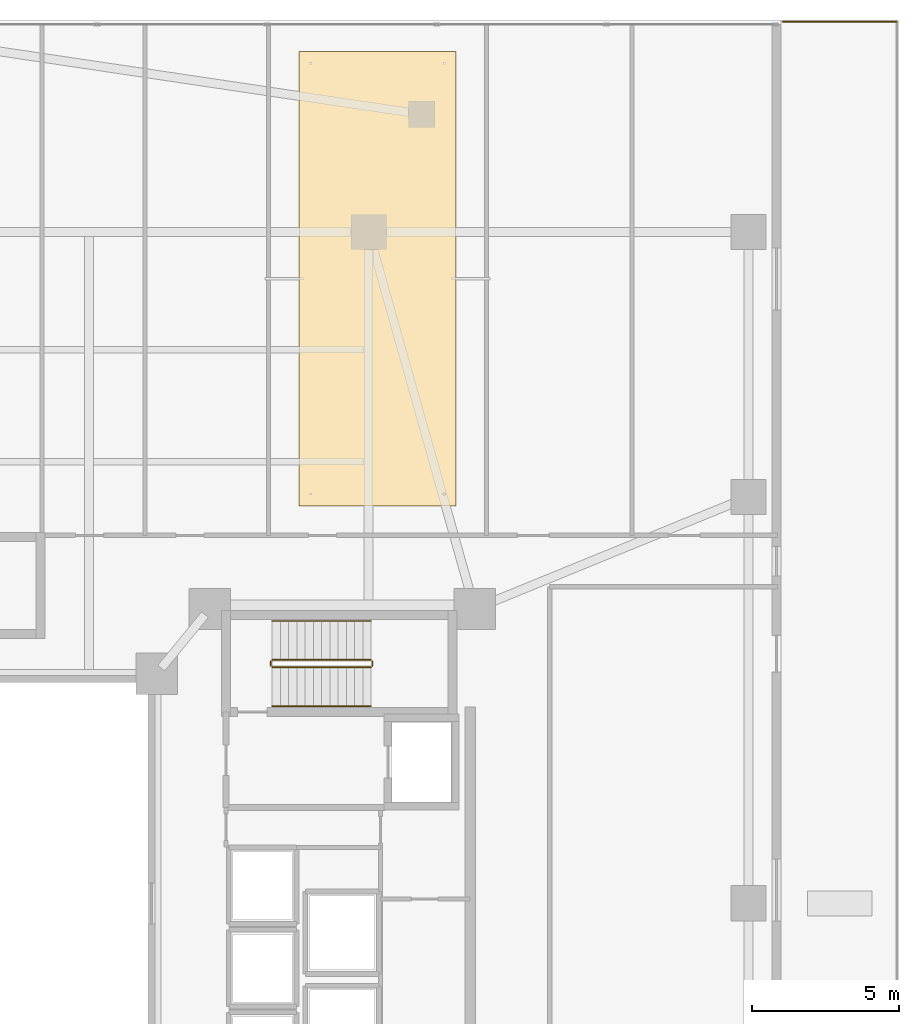
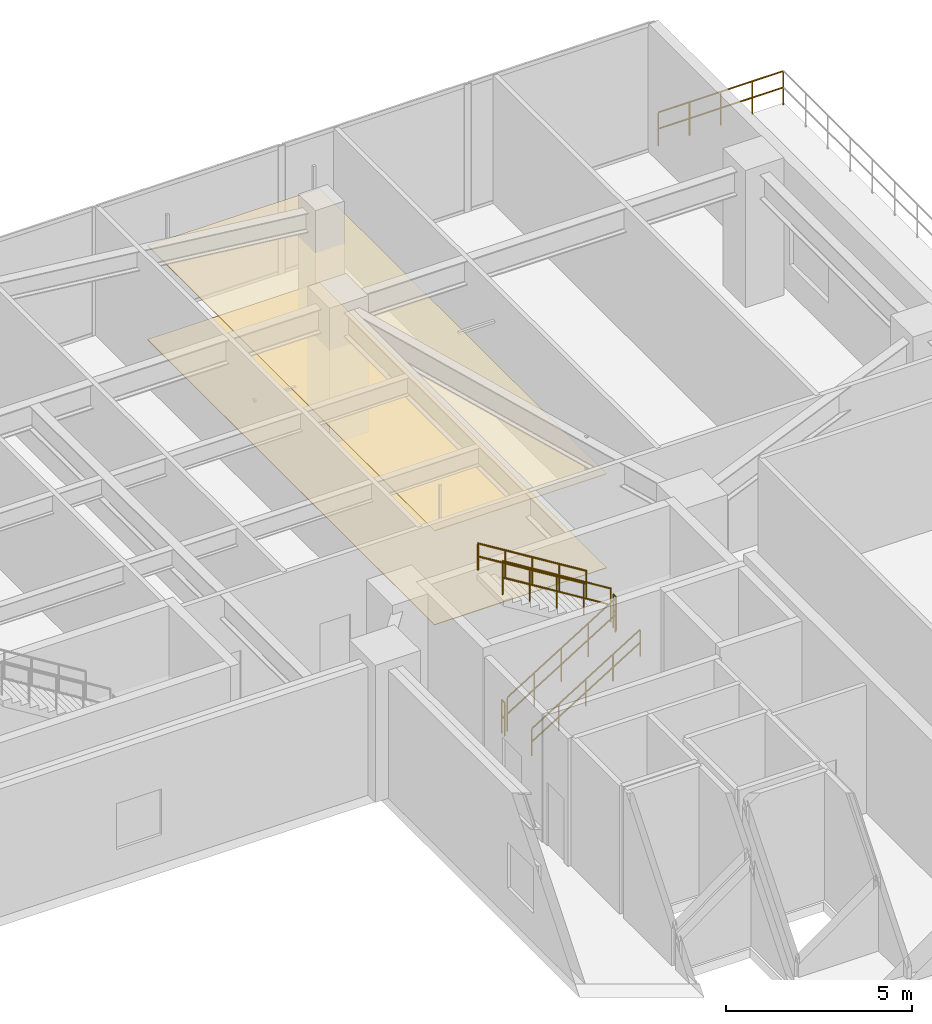
# One storey, part 27 of 27: 7 railings, 2 coverings.
"""IFC4 building model written with IfcOpenShell, lengths in metres."""

from ifc_helpers import new_model, si_unit, direction, frame, origin, origin_2d, place, context, subcontext, project, spatial, polyline, circle, outline, extrude, material, layer, layer_set, type_object, element, save


model = new_model("IFC4")

# Units and contexts
model_context = context("Model", 3, precision=1e-05, world=origin(), true_north=direction((0.0, 1.0)))
body_context = subcontext(model_context, "Body", "Model", "MODEL_VIEW")
ifc_project = project(units=[si_unit("LENGTHUNIT", "METRE"), si_unit("AREAUNIT", "SQUARE_METRE"), si_unit("VOLUMEUNIT", "CUBIC_METRE"), si_unit("PLANEANGLEUNIT", "RADIAN"), si_unit("MASSUNIT", "GRAM", prefix="KILO")], contexts=[model_context])

# Site, building, storey
site_placement = place(None, origin())
site = spatial("IfcSite", under=ifc_project, at=site_placement, CompositionType="ELEMENT")
building_placement = place(site_placement, origin())
building = spatial("IfcBuilding", under=site, at=building_placement, Name="Tarnavaz Court Tower", CompositionType="ELEMENT")
storey_placement = place(building_placement, frame((0.0, 0.0, 9.89990234375)))
storey = spatial("IfcBuildingStorey", under=building, at=storey_placement, Name="L02", CompositionType="ELEMENT", Elevation=9.89990234375)

# Coverings
ifc_material_1 = material(Name="Perforated Gypsum Acoustic Ceiling Tile", Category="masonry")
ifc_layer_1 = layer(ifc_material_1, 0.02490234375)
ifc_layer_set_1 = layer_set([ifc_layer_1], Name="Perforated Gypsum Acoustic Ceiling Tile")
covering_type_1 = type_object("IfcCoveringType", Name="CV-CEIL-AC", PredefinedType="CEILING", material=ifc_layer_set_1)
covering_1_placement = place(storey_placement, frame((0.0, 0.0, 3.080078125)))
element("IfcCovering", 1, at=covering_1_placement, inside=storey, type_object=covering_type_1, Name="L02 L02 Staff Administration Office Suspended Acoustic Ceiling", PredefinedType="CEILING", context=body_context, shape_type="SweptSolid", body=[
    extrude(outline(polyline([(12.6298828125, 13.5), (17.969970703125, 13.5), (17.969970703125, 28.929931640625), (12.6298828125, 28.929931640625), (12.6298828125, 13.5)])), origin(), (0.0, 0.0, 1.0), 0.02490234375),
])
ifc_material_2 = material(Name="Glazed Khorasan Porcelain Floor Tile", Category="masonry")
ifc_layer_2 = layer(ifc_material_2, 0.02001953125)
ifc_layer_set_2 = layer_set([ifc_layer_2], Name="Glazed Khorasan Porcelain Floor Tile")
covering_type_2 = type_object("IfcCoveringType", Name="CV-FLR-PORC", PredefinedType="FLOORING", material=ifc_layer_set_2)
covering_2_placement = place(storey_placement, origin())
element("IfcCovering", 2, at=covering_2_placement, inside=storey, type_object=covering_type_2, Name="L02 L02 Staff Administration Office Porcelain Floor Finish", PredefinedType="FLOORING", context=body_context, shape_type="SweptSolid", body=[
    extrude(outline(polyline([(12.6298828125, 13.5), (17.969970703125, 13.5), (17.969970703125, 28.929931640625), (12.6298828125, 28.929931640625), (12.6298828125, 13.5)])), origin(), (0.0, 0.0, 1.0), 0.02001953125),
])

# Railings
ifc_material_3 = material(Name="Anodised Aluminium 6063-T6 and Laminated Safety Glass", Category="aluminium")
railing_type_1 = type_object("IfcRailingType", Name="RL-BAL-1120", PredefinedType="BALUSTRADE", material=ifc_material_3)
railing_1_placement = place(storey_placement, frame((32.93994140625, 29.93994140625, 0.0)))
element("IfcRailing", 3, at=railing_1_placement, inside=storey, type_object=railing_type_1, Name="L02 Terrace 1 N Perimeter Balustrade", PredefinedType="BALUSTRADE", context=body_context, shape_type="SweptSolid", body=[
    extrude(circle(Radius=0.02392578125, at=origin_2d()), frame((0.0, 0.0, 1.09619140625), z_axis=(-1.0, 0.0, 0.0), x_axis=(0.0, -1.0, 0.0)), (0.0, 0.0, 1.0), 3.8798828125),
    extrude(circle(Radius=0.02392578125, at=origin_2d()), frame((0.0, 0.0, 0.56005859375), z_axis=(-1.0, 0.0, 0.0), x_axis=(0.0, -1.0, 0.0)), (0.0, 0.0, 1.0), 3.8798828125),
    extrude(circle(Radius=0.02099609375, at=origin_2d()), origin(), (0.0, 0.0, 1.0), 1.072021484375),
    extrude(circle(Radius=0.02099609375, at=origin_2d()), frame((-0.969970703125, 0.0, 0.0)), (0.0, 0.0, 1.0), 1.072021484375),
    extrude(circle(Radius=0.02099609375, at=origin_2d()), frame((-1.93994140625, 0.0, 0.0)), (0.0, 0.0, 1.0), 1.072021484375),
    extrude(circle(Radius=0.02099609375, at=origin_2d()), frame((-2.909912109375, 0.0, 0.0)), (0.0, 0.0, 1.0), 1.072021484375),
    extrude(circle(Radius=0.02099609375, at=origin_2d()), frame((-3.8798828125, 0.0, 0.0)), (0.0, 0.0, 1.0), 1.072021484375),
])
ifc_material_4 = material(Name="Brushed Stainless Steel", Category="steel")
railing_type_2 = type_object("IfcRailingType", Name="RL-HANDRAIL-900", PredefinedType="HANDRAIL", material=ifc_material_4)
railing_2_placement = place(storey_placement, frame((11.719970703125, 6.699951171875, 0.173095703125)))
element("IfcRailing", 4, at=railing_2_placement, inside=storey, type_object=railing_type_2, Name="L02 ST-E1 stair handrail 1", PredefinedType="HANDRAIL", context=body_context, shape_type="SweptSolid", body=[
    extrude(circle(Radius=0.02392578125, at=origin_2d()), frame((0.0, 0.0, 0.8759765625), z_axis=(0.850623216509, 0.0, 0.525775754039), x_axis=(0.0, 1.0, 0.0)), (0.0, 0.0, 1.0), 3.9501953125),
    extrude(circle(Radius=0.02392578125, at=origin_2d()), frame((0.0, 0.0, 0.449951171875), z_axis=(0.850623216509, 0.0, 0.525775754039), x_axis=(0.0, 1.0, 0.0)), (0.0, 0.0, 1.0), 3.9501953125),
    extrude(circle(Radius=0.02099609375, at=origin_2d()), origin(), (0.0, 0.0, 1.0), 0.851806640625),
    extrude(circle(Radius=0.02099609375, at=origin_2d()), frame((0.840087890625, 0.0, 0.519287109375)), (0.0, 0.0, 1.0), 0.851806640625),
    extrude(circle(Radius=0.02099609375, at=origin_2d()), frame((1.68017578125, 0.0, 1.03857421875)), (0.0, 0.0, 1.0), 0.851806640625),
    extrude(circle(Radius=0.02099609375, at=origin_2d()), frame((2.52001953125, 0.0, 1.5576171875)), (0.0, 0.0, 1.0), 0.851806640625),
    extrude(circle(Radius=0.02099609375, at=origin_2d()), frame((3.360107421875, 0.0, 2.076904296875)), (0.0, 0.0, 1.0), 0.851806640625),
])
railing_3_placement = place(storey_placement, frame((15.080078125, 9.590087890625, 2.423095703125)))
element("IfcRailing", 5, at=railing_3_placement, inside=storey, type_object=railing_type_2, Name="L02 ST-E1 stair handrail 2", PredefinedType="HANDRAIL", context=body_context, shape_type="SweptSolid", body=[
    extrude(circle(Radius=0.02392578125, at=origin_2d()), frame((0.0, 0.0, 0.8759765625), z_axis=(-0.850623216509, 0.0, 0.525775754039), x_axis=(0.0, -1.0, 0.0)), (0.0, 0.0, 1.0), 3.9501953125),
    extrude(circle(Radius=0.02392578125, at=origin_2d()), frame((0.0, 0.0, 0.449951171875), z_axis=(-0.850623216509, 0.0, 0.525775754039), x_axis=(0.0, -1.0, 0.0)), (0.0, 0.0, 1.0), 3.9501953125),
    extrude(circle(Radius=0.02099609375, at=origin_2d()), origin(), (0.0, 0.0, 1.0), 0.851806640625),
    extrude(circle(Radius=0.02099609375, at=origin_2d()), frame((-0.840087890625, 0.0, 0.519287109375)), (0.0, 0.0, 1.0), 0.851806640625),
    extrude(circle(Radius=0.02099609375, at=origin_2d()), frame((-1.68017578125, 0.0, 1.03857421875)), (0.0, 0.0, 1.0), 0.851806640625),
    extrude(circle(Radius=0.02099609375, at=origin_2d()), frame((-2.52001953125, 0.0, 1.5576171875)), (0.0, 0.0, 1.0), 0.851806640625),
    extrude(circle(Radius=0.02099609375, at=origin_2d()), frame((-3.360107421875, 0.0, 2.076904296875)), (0.0, 0.0, 1.0), 0.851806640625),
])
ifc_material_5 = material(Name="Galvanized Painted Tubular Steel", Category="steel")
railing_type_3 = type_object("IfcRailingType", Name="RL-STGUARD-1120", PredefinedType="GUARDRAIL", material=ifc_material_5)
railing_4_placement = place(storey_placement, frame((11.719970703125, 8.02001953125, 0.173095703125)))
element("IfcRailing", 6, at=railing_4_placement, inside=storey, type_object=railing_type_3, Name="L02 ST-E1 stair guard 1", PredefinedType="GUARDRAIL", context=body_context, shape_type="SweptSolid", body=[
    extrude(circle(Radius=0.02392578125, at=origin_2d()), frame((0.0, 0.0, 1.09619140625), z_axis=(0.850623216509, 0.0, 0.525775754039), x_axis=(0.0, 1.0, 0.0)), (0.0, 0.0, 1.0), 3.9501953125),
    extrude(circle(Radius=0.02392578125, at=origin_2d()), frame((0.0, 0.0, 0.56005859375), z_axis=(0.850623216509, 0.0, 0.525775754039), x_axis=(0.0, 1.0, 0.0)), (0.0, 0.0, 1.0), 3.9501953125),
    extrude(circle(Radius=0.02099609375, at=origin_2d()), origin(), (0.0, 0.0, 1.0), 1.072021484375),
    extrude(circle(Radius=0.02099609375, at=origin_2d()), frame((0.840087890625, 0.0, 0.519287109375)), (0.0, 0.0, 1.0), 1.072021484375),
    extrude(circle(Radius=0.02099609375, at=origin_2d()), frame((1.68017578125, 0.0, 1.03857421875)), (0.0, 0.0, 1.0), 1.072021484375),
    extrude(circle(Radius=0.02099609375, at=origin_2d()), frame((2.52001953125, 0.0, 1.5576171875)), (0.0, 0.0, 1.0), 1.072021484375),
    extrude(circle(Radius=0.02099609375, at=origin_2d()), frame((3.360107421875, 0.0, 2.076904296875)), (0.0, 0.0, 1.0), 1.072021484375),
])
railing_5_placement = place(storey_placement, frame((15.1298828125, 8.070068359375, 2.25)))
element("IfcRailing", 7, at=railing_5_placement, inside=storey, type_object=railing_type_3, Name="L02 ST-E1 stair guard 2", PredefinedType="GUARDRAIL", context=body_context, shape_type="SweptSolid", body=[
    extrude(circle(Radius=0.02392578125, at=origin_2d()), frame((0.0, 0.0, 1.09619140625), z_axis=(0.0, 1.0, 0.0), x_axis=(-1.0, 0.0, 0.0)), (0.0, 0.0, 1.0), 0.14990234375),
    extrude(circle(Radius=0.02392578125, at=origin_2d()), frame((0.0, 0.0, 0.56005859375), z_axis=(0.0, 1.0, 0.0), x_axis=(-1.0, 0.0, 0.0)), (0.0, 0.0, 1.0), 0.14990234375),
    extrude(circle(Radius=0.02099609375, at=origin_2d()), origin(), (0.0, 0.0, 1.0), 1.072021484375),
    extrude(circle(Radius=0.02099609375, at=origin_2d()), frame((0.0, 0.14990234375, 0.0)), (0.0, 0.0, 1.0), 1.072021484375),
])
railing_6_placement = place(storey_placement, frame((15.080078125, 8.27001953125, 2.423095703125)))
element("IfcRailing", 8, at=railing_6_placement, inside=storey, type_object=railing_type_3, Name="L02 ST-E1 stair guard 3", PredefinedType="GUARDRAIL", context=body_context, shape_type="SweptSolid", body=[
    extrude(circle(Radius=0.02392578125, at=origin_2d()), frame((0.0, 0.0, 1.09619140625), z_axis=(-0.850623216509, 0.0, 0.525775754039), x_axis=(0.0, -1.0, 0.0)), (0.0, 0.0, 1.0), 3.9501953125),
    extrude(circle(Radius=0.02392578125, at=origin_2d()), frame((0.0, 0.0, 0.56005859375), z_axis=(-0.850623216509, 0.0, 0.525775754039), x_axis=(0.0, -1.0, 0.0)), (0.0, 0.0, 1.0), 3.9501953125),
    extrude(circle(Radius=0.02099609375, at=origin_2d()), origin(), (0.0, 0.0, 1.0), 1.072021484375),
    extrude(circle(Radius=0.02099609375, at=origin_2d()), frame((-0.840087890625, 0.0, 0.519287109375)), (0.0, 0.0, 1.0), 1.072021484375),
    extrude(circle(Radius=0.02099609375, at=origin_2d()), frame((-1.68017578125, 0.0, 1.03857421875)), (0.0, 0.0, 1.0), 1.072021484375),
    extrude(circle(Radius=0.02099609375, at=origin_2d()), frame((-2.52001953125, 0.0, 1.5576171875)), (0.0, 0.0, 1.0), 1.072021484375),
    extrude(circle(Radius=0.02099609375, at=origin_2d()), frame((-3.360107421875, 0.0, 2.076904296875)), (0.0, 0.0, 1.0), 1.072021484375),
])
railing_7_placement = place(storey_placement, frame((11.669921875, 8.070068359375, 0.0)))
element("IfcRailing", 9, at=railing_7_placement, inside=storey, type_object=railing_type_3, Name="L02 ST-E1 stair guard 4", PredefinedType="GUARDRAIL", context=body_context, shape_type="SweptSolid", body=[
    extrude(circle(Radius=0.02392578125, at=origin_2d()), frame((0.0, 0.0, 1.09619140625), z_axis=(0.0, 1.0, 0.0), x_axis=(-1.0, 0.0, 0.0)), (0.0, 0.0, 1.0), 0.14990234375),
    extrude(circle(Radius=0.02392578125, at=origin_2d()), frame((0.0, 0.0, 0.56005859375), z_axis=(0.0, 1.0, 0.0), x_axis=(-1.0, 0.0, 0.0)), (0.0, 0.0, 1.0), 0.14990234375),
    extrude(circle(Radius=0.02099609375, at=origin_2d()), origin(), (0.0, 0.0, 1.0), 1.072021484375),
    extrude(circle(Radius=0.02099609375, at=origin_2d()), frame((0.0, 0.14990234375, 0.0)), (0.0, 0.0, 1.0), 1.072021484375),
])

save(model, "model.ifc")
